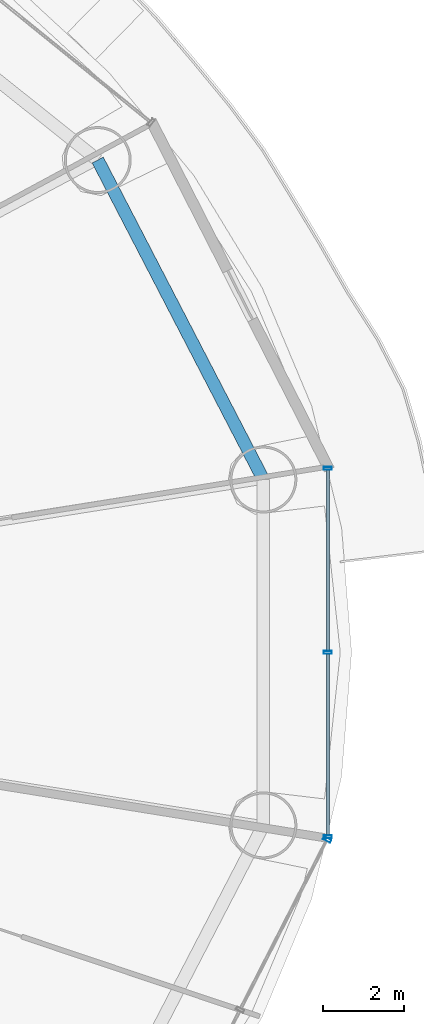
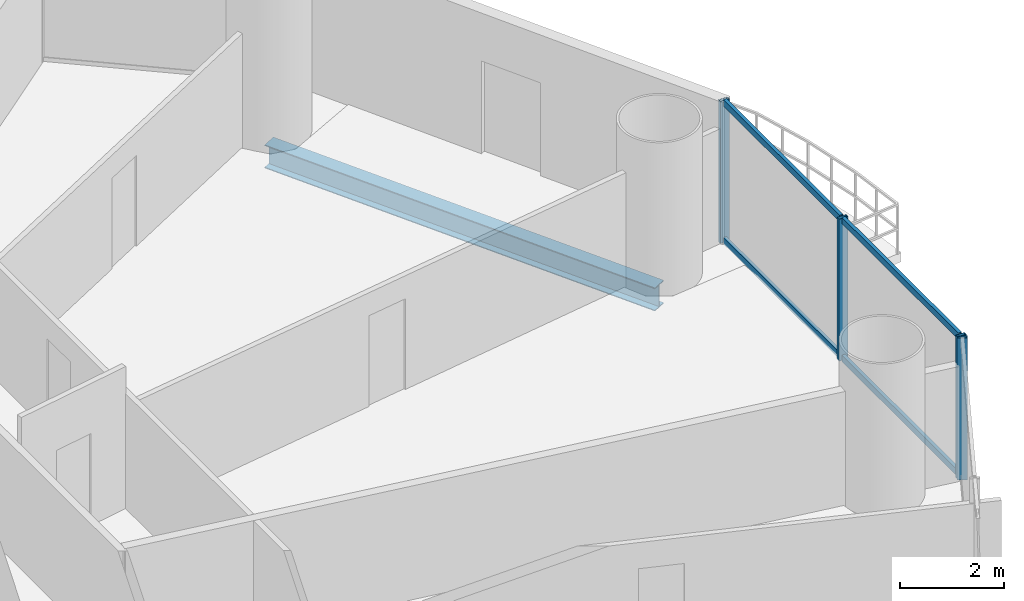
# One storey, part 14 of 30: 8 members, 1 beam, 2 elements without a shape of their own.
"""IFC4 building model written with IfcOpenShell, lengths in metres."""

from ifc_helpers import new_model, si_unit, direction, frame, origin, origin_2d, place, context, subcontext, project, spatial, hollow_rectangle, i_section, extrude, source, transform, mapped, material, material_profile, profile_set, type_object, element, aggregate, save


model = new_model("IFC4")

# Units and contexts
model_context = context("Model", 3, precision=1e-05, world=origin(), true_north=direction((-0.2419218956, 0.970295726276)))
body_context = subcontext(model_context, "Body", "Model", "MODEL_VIEW")
ifc_project = project(units=[si_unit("LENGTHUNIT", "METRE"), si_unit("AREAUNIT", "SQUARE_METRE"), si_unit("VOLUMEUNIT", "CUBIC_METRE"), si_unit("PLANEANGLEUNIT", "RADIAN"), si_unit("MASSUNIT", "GRAM", prefix="KILO")], contexts=[model_context])

# Site, building, storey
site_placement = place(None, origin())
site = spatial("IfcSite", under=ifc_project, at=site_placement, CompositionType="ELEMENT")
building_placement = place(site_placement, origin())
building = spatial("IfcBuilding", under=site, at=building_placement, Name="Cobrevalo Terracotta Tower", CompositionType="ELEMENT")
storey_placement = place(building_placement, frame((0.0, 0.0, 27.60009765625)))
storey = spatial("IfcBuildingStorey", under=building, at=storey_placement, Name="L06", CompositionType="ELEMENT", Elevation=27.60009765625)

# Beam
ifc_material_1 = material(Name="Steel S355", Category="steel")
ifc_material_profile_1 = material_profile(ifc_material_1, i_section(OverallWidth=0.31201171875, OverallDepth=0.54296875, WebThickness=0.0126953125, FlangeThickness=0.020263671875, at=origin_2d()), Name="W 530x150")
ifc_profile_set_1 = profile_set([ifc_material_profile_1], Name="Steel S355")
beam_type = type_object("IfcBeamType", Name="Structural Spandrel W 530x150 (Steel S355)", PredefinedType="SPANDREL", material=ifc_profile_set_1)
beam_placement = place(storey_placement, frame((64.824462890625, 31.062744140625, -0.551513671875), z_axis=(-0.460285838799, 0.88777077368, 0.0), x_axis=(-0.88777077368, -0.460285838799, 0.0)))
element("IfcBeam", 1, at=beam_placement, inside=storey, type_object=beam_type, Name="L06 perimeter ring spandrel 01", PredefinedType="SPANDREL", context=body_context, shape_type="SweptSolid", body=[
    extrude(i_section(OverallWidth=0.31201171875, OverallDepth=0.54296875, WebThickness=0.0126953125, FlangeThickness=0.020263671875, at=origin_2d()), origin(), (0.0, 0.0, 1.0), 8.8720703125),
])

# Curtain wall, members
ifc_material_2 = material(Name="Anodized aluminium", Category="aluminium")
curtain_wall_type = type_object("IfcCurtainWallType", Name="Lower-tower unitised acoustic low-E curtain wall CW-U1", PredefinedType="NOTDEFINED", material=ifc_material_2)
curtain_wall_1_placement = place(storey_placement, origin())
curtain_wall_1 = element("IfcCurtainWall", 2, at=curtain_wall_1_placement, inside=storey, type_object=curtain_wall_type, Name="L06 curtain wall CW-L06-S16", PredefinedType="NOTDEFINED")
ifc_material_profile_2 = material_profile(ifc_material_2, hollow_rectangle(XDim=0.074951171875, YDim=0.14990234375, WallThickness=0.00439453125, at=origin_2d()), Name="CWT 75x150")
ifc_profile_set_2 = profile_set([ifc_material_profile_2], Name="Anodized aluminium")
member_type_1 = type_object("IfcMemberType", Name="Tower unitised aluminium transom 75x150", PredefinedType="USERDEFINED", material=ifc_profile_set_2)
shared_shape_1 = source(origin(), body_context, "Body", "SweptSolid", [
    extrude(hollow_rectangle(XDim=0.074951171875, YDim=0.14990234375, WallThickness=0.00439453125, at=origin_2d()), origin(), (0.0, 0.0, 1.0), 4.458740234375),
])
member_1_placement = place(storey_placement, frame((66.413330078125, 22.30126953125, 0.0498046875), z_axis=(0.0, 1.0, 0.0), x_axis=(-1.0, 0.0, 0.0)))
member_1 = element("IfcMember", 3, at=member_1_placement, type_object=member_type_1, Name="CW-L06-S16 transom B01-T1", ObjectType="TRANSOM", PredefinedType="USERDEFINED", context=body_context, shape_type="MappedRepresentation", body=[
    mapped(shared_shape_1, transform((0.0, 0.0, 0.0), scale=1.0)),
])
member_2_placement = place(storey_placement, frame((66.413330078125, 22.30126953125, 3.27001953125), z_axis=(0.0, 1.0, 0.0), x_axis=(-1.0, 0.0, 0.0)))
member_2 = element("IfcMember", 4, at=member_2_placement, type_object=member_type_1, Name="CW-L06-S16 transom B01-T2", ObjectType="TRANSOM", PredefinedType="USERDEFINED", context=body_context, shape_type="MappedRepresentation", body=[
    mapped(shared_shape_1, transform((0.0, 0.0, 0.0), scale=1.0)),
])
member_3_placement = place(storey_placement, frame((66.413330078125, 26.840087890625, 0.0498046875), z_axis=(0.0, 1.0, 0.0), x_axis=(-1.0, 0.0, 0.0)))
member_3 = element("IfcMember", 5, at=member_3_placement, type_object=member_type_1, Name="CW-L06-S16 transom B02-T1", ObjectType="TRANSOM", PredefinedType="USERDEFINED", context=body_context, shape_type="MappedRepresentation", body=[
    mapped(shared_shape_1, transform((0.0, 0.0, 0.0), scale=1.0)),
])
member_4_placement = place(storey_placement, frame((66.413330078125, 26.840087890625, 3.27001953125), z_axis=(0.0, 1.0, 0.0), x_axis=(-1.0, 0.0, 0.0)))
member_4 = element("IfcMember", 6, at=member_4_placement, type_object=member_type_1, Name="CW-L06-S16 transom B02-T2", ObjectType="TRANSOM", PredefinedType="USERDEFINED", context=body_context, shape_type="MappedRepresentation", body=[
    mapped(shared_shape_1, transform((0.0, 0.0, 0.0), scale=1.0)),
])

# Curtain wall, member
curtain_wall_2_placement = place(storey_placement, origin())
curtain_wall_2 = element("IfcCurtainWall", 7, at=curtain_wall_2_placement, inside=storey, type_object=curtain_wall_type, Name="L06 curtain wall CW-L06-S15", PredefinedType="NOTDEFINED")
ifc_material_profile_3 = material_profile(ifc_material_2, hollow_rectangle(XDim=0.074951171875, YDim=0.199951171875, WallThickness=0.0048828125, at=origin_2d()), Name="CWM 75x200")
ifc_profile_set_3 = profile_set([ifc_material_profile_3], Name="Anodized aluminium")
member_type_2 = type_object("IfcMemberType", Name="Lower/mid tower unitised mullion 75x200", PredefinedType="MULLION", material=ifc_profile_set_3)
shared_shape_2 = source(origin(), body_context, "Body", "SweptSolid", [
    extrude(hollow_rectangle(XDim=0.074951171875, YDim=0.199951171875, WallThickness=0.0048828125, at=origin_2d()), origin(), (0.0, 0.0, 1.0), 3.31982421875),
])
member_5_placement = place(storey_placement, frame((66.39501953125, 22.185546875, 0.0), z_axis=(0.0, 0.0, 1.0), x_axis=(0.455234136597, 0.890371765543, 0.0)))
member_5 = element("IfcMember", 8, at=member_5_placement, type_object=member_type_2, Name="CW-L06-S15 vertical mullion 03", PredefinedType="MULLION", context=body_context, shape_type="MappedRepresentation", body=[
    mapped(shared_shape_2, transform((0.0, 0.0, 0.0), scale=1.0)),
])
aggregate(curtain_wall_2, [member_5])

# Member
member_6_placement = place(storey_placement, frame((66.413330078125, 22.26123046875, 0.0), z_axis=(0.0, 0.0, 1.0), x_axis=(0.0, 1.0, 0.0)))
member_6 = element("IfcMember", 9, at=member_6_placement, type_object=member_type_2, Name="CW-L06-S16 vertical mullion 01", PredefinedType="MULLION", context=body_context, shape_type="MappedRepresentation", body=[
    mapped(shared_shape_2, transform((0.0, 0.0, 0.0), scale=1.0)),
])

member_7_placement = place(storey_placement, frame((66.413330078125, 26.800048828125, 0.0), z_axis=(0.0, 0.0, 1.0), x_axis=(0.0, 1.0, 0.0)))
member_7 = element("IfcMember", 10, at=member_7_placement, type_object=member_type_2, Name="CW-L06-S16 vertical mullion 02", PredefinedType="MULLION", context=body_context, shape_type="MappedRepresentation", body=[
    mapped(shared_shape_2, transform((0.0, 0.0, 0.0), scale=1.0)),
])

member_8_placement = place(storey_placement, frame((66.413330078125, 31.3388671875, 0.0), z_axis=(0.0, 0.0, 1.0), x_axis=(0.0, 1.0, 0.0)))
member_8 = element("IfcMember", 11, at=member_8_placement, type_object=member_type_2, Name="CW-L06-S16 vertical mullion 03", PredefinedType="MULLION", context=body_context, shape_type="MappedRepresentation", body=[
    mapped(shared_shape_2, transform((0.0, 0.0, 0.0), scale=1.0)),
])

aggregate(curtain_wall_1, [member_6, member_7, member_8, member_1, member_2, member_3, member_4])

save(model, "model.ifc")
